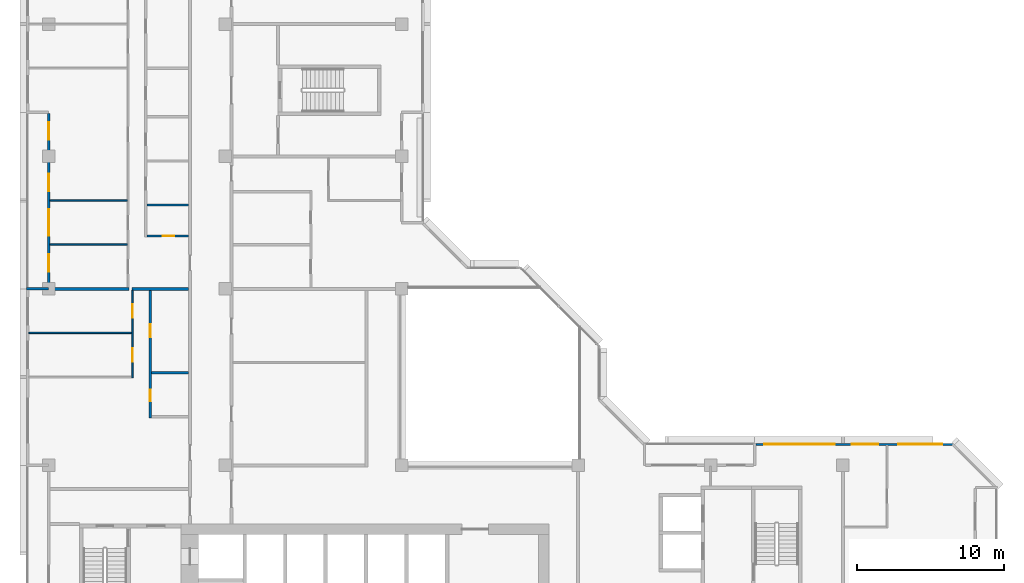
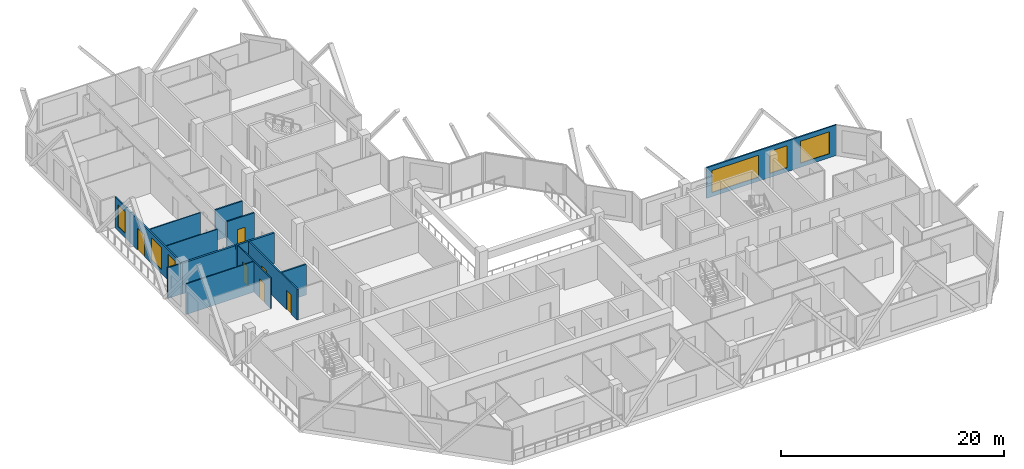
# One storey, part 8 of 15: 13 walls, 6 doors, 6 windows, 12 openings.
"""IFC4 building model written with IfcOpenShell, lengths in metres."""

from ifc_helpers import new_model, si_unit, direction, frame, frame_2d, origin, place, context, subcontext, project, spatial, rectangle, extrude, material, layer, layer_set, type_object, element, fill, save


model = new_model("IFC4")

# Units and contexts
model_context = context("Model", 3, precision=1e-05, world=origin(), true_north=direction((0.0, 1.0)))
body_context = subcontext(model_context, "Body", "Model", "MODEL_VIEW")
ifc_project = project(units=[si_unit("LENGTHUNIT", "METRE"), si_unit("AREAUNIT", "SQUARE_METRE"), si_unit("VOLUMEUNIT", "CUBIC_METRE"), si_unit("PLANEANGLEUNIT", "RADIAN"), si_unit("MASSUNIT", "GRAM", prefix="KILO")], contexts=[model_context])

# Site, building, storey
site_placement = place(None, origin())
site = spatial("IfcSite", under=ifc_project, at=site_placement, CompositionType="ELEMENT")
building_placement = place(site_placement, origin())
building = spatial("IfcBuilding", under=site, at=building_placement, Name="Chenar Terraces", CompositionType="ELEMENT")
storey_placement = place(building_placement, frame((0.0, 0.0, 211.64990234375)))
storey = spatial("IfcBuildingStorey", under=building, at=storey_placement, Name="L49", CompositionType="ELEMENT", Elevation=211.64990234375)

# Wall, openings, windows
ifc_material_1 = material(Name="Aluminium framed glazing", Category="aluminium")
ifc_layer_1 = layer(ifc_material_1, 0.14990234375)
ifc_layer_set_1 = layer_set([ifc_layer_1], Name="Aluminium framed glazing")
wall_type_1 = type_object("IfcWallType", Name="Glazed flush facade wall 150", PredefinedType="SOLIDWALL", material=ifc_layer_set_1)
wall_1_placement = place(storey_placement, frame((61.5, 25.425048828125, 0.0), z_axis=(0.0, 0.0, 1.0), x_axis=(-1.0, 0.0, 0.0)))
wall_1 = element("IfcWall", 1, at=wall_1_placement, inside=storey, type_object=wall_type_1, Name="Glazed flush facade wall", PredefinedType="SOLIDWALL", context=body_context, shape_type="SweptSolid", body=[
    extrude(rectangle(XDim=13.425048828125, YDim=0.14990234375, at=frame_2d((6.71240234375, 0.0))), origin(), (0.0, 0.0, 1.0), 3.35009765625),
])
opening_1_placement = place(wall_1_placement, frame((0.75, 0.0, 0.449951171875)))
opening_1 = element("IfcOpeningElement", 2, at=opening_1_placement, cuts=wall_1, Name="Opening W300x240", PredefinedType="OPENING", context=body_context, shape_type="SweptSolid", body=[
    extrude(rectangle(XDim=3.0, YDim=2.39990234375, at=frame_2d((1.5, 1.199951171875))), frame((0.0, 0.0849609375, 0.0), z_axis=(0.0, -1.0, 0.0), x_axis=(1.0, 0.0, 0.0)), (0.0, 0.0, 1.0), 0.169921875),
])
opening_2_placement = place(wall_1_placement, frame((5.10009765625, 0.0, 0.449951171875)))
opening_2 = element("IfcOpeningElement", 3, at=opening_2_placement, cuts=wall_1, Name="Opening W180x240", PredefinedType="OPENING", context=body_context, shape_type="SweptSolid", body=[
    extrude(rectangle(XDim=1.800048828125, YDim=2.39990234375, at=frame_2d((0.89990234375, 1.199951171875))), frame((0.0, 0.0849609375, 0.0), z_axis=(0.0, -1.0, 0.0), x_axis=(1.0, 0.0, 0.0)), (0.0, 0.0, 1.0), 0.169921875),
])
opening_3_placement = place(wall_1_placement, frame((8.0625, 0.0, 0.449951171875)))
opening_3 = element("IfcOpeningElement", 4, at=opening_3_placement, cuts=wall_1, Name="Opening W480x240", PredefinedType="OPENING", context=body_context, shape_type="SweptSolid", body=[
    extrude(rectangle(XDim=4.800048828125, YDim=2.39990234375, at=frame_2d((2.39990234375, 1.199951171875))), frame((0.0, 0.0849609375, 0.0), z_axis=(0.0, -1.0, 0.0), x_axis=(1.0, 0.0, 0.0)), (0.0, 0.0, 1.0), 0.169921875),
])
ifc_material_2 = material(Name="Low emissivity double glazing, aluminium frame", Category="aluminium")
window_type_1 = type_object("IfcWindowType", Name="Fixed light 1800 x 2400", PartitioningType="SINGLE_PANEL", PredefinedType="WINDOW", material=ifc_material_2)
window_1_placement = place(opening_2_placement, origin())
window_1 = element("IfcWindow", 5, at=window_1_placement, inside=storey, type_object=window_type_1, Name="Window", OverallHeight=2.39990234375, OverallWidth=1.800048828125, PartitioningType="SINGLE_PANEL", PredefinedType="WINDOW", context=body_context, shape_type="SweptSolid", body=[
    extrude(rectangle(XDim=1.800048828125, YDim=2.39990234375, at=frame_2d((0.89990234375, 1.199951171875))), frame((0.0, 0.030029296875, 0.0), z_axis=(0.0, -1.0, 0.0), x_axis=(1.0, 0.0, 0.0)), (0.0, 0.0, 1.0), 0.06005859375),
])
fill(opening_2, window_1)
ifc_material_3 = material(Name="Low emissivity double glazing, aluminium frame", Category="aluminium")
window_type_2 = type_object("IfcWindowType", Name="Fixed light 3000 x 2400", PartitioningType="SINGLE_PANEL", PredefinedType="WINDOW", material=ifc_material_3)
window_2_placement = place(opening_1_placement, origin())
window_2 = element("IfcWindow", 6, at=window_2_placement, inside=storey, type_object=window_type_2, Name="Window", OverallHeight=2.39990234375, OverallWidth=3.0, PartitioningType="SINGLE_PANEL", PredefinedType="WINDOW", context=body_context, shape_type="SweptSolid", body=[
    extrude(rectangle(XDim=3.0, YDim=2.39990234375, at=frame_2d((1.5, 1.199951171875))), frame((0.0, 0.030029296875, 0.0), z_axis=(0.0, -1.0, 0.0), x_axis=(1.0, 0.0, 0.0)), (0.0, 0.0, 1.0), 0.06005859375),
])
fill(opening_1, window_2)
ifc_material_4 = material(Name="Low emissivity double glazing, aluminium frame", Category="aluminium")
window_type_3 = type_object("IfcWindowType", Name="Fixed light 4800 x 2400", PartitioningType="SINGLE_PANEL", PredefinedType="WINDOW", material=ifc_material_4)
window_3_placement = place(opening_3_placement, origin())
window_3 = element("IfcWindow", 7, at=window_3_placement, inside=storey, type_object=window_type_3, Name="Window", OverallHeight=2.39990234375, OverallWidth=4.800048828125, PartitioningType="SINGLE_PANEL", PredefinedType="WINDOW", context=body_context, shape_type="SweptSolid", body=[
    extrude(rectangle(XDim=4.800048828125, YDim=2.39990234375, at=frame_2d((2.39990234375, 1.199951171875))), frame((0.0, 0.030029296875, 0.0), z_axis=(0.0, -1.0, 0.0), x_axis=(1.0, 0.0, 0.0)), (0.0, 0.0, 1.0), 0.06005859375),
])
fill(opening_3, window_3)

# Wall, openings, windows, door
ifc_material_5 = material(Name="Aluminium framed glazing", Category="aluminium")
ifc_layer_2 = layer(ifc_material_5, 0.14990234375)
ifc_layer_set_2 = layer_set([ifc_layer_2], Name="Aluminium framed glazing")
wall_type_2 = type_object("IfcWallType", Name="Glazed loggia back wall 150", PredefinedType="SOLIDWALL", material=ifc_layer_set_2)
wall_2_placement = place(storey_placement, frame((0.0, 47.925048828125, 0.0), z_axis=(0.0, 0.0, 1.0), x_axis=(0.0, -1.0, 0.0)))
wall_2 = element("IfcWall", 8, at=wall_2_placement, inside=storey, type_object=wall_type_2, Name="Glazed loggia back wall", PredefinedType="SOLIDWALL", context=body_context, shape_type="SweptSolid", body=[
    extrude(rectangle(XDim=11.85009765625, YDim=0.14990234375, at=frame_2d((5.925048828125, 0.0))), origin(), (0.0, 0.0, 1.0), 3.35009765625),
])
opening_4_placement = place(wall_2_placement, frame((0.60009765625, 0.0, 0.449951171875)))
opening_4 = element("IfcOpeningElement", 9, at=opening_4_placement, cuts=wall_2, Name="Opening W120x240", PredefinedType="OPENING", context=body_context, shape_type="SweptSolid", body=[
    extrude(rectangle(XDim=1.199951171875, YDim=2.39990234375, at=frame_2d((0.60009765625, 1.199951171875))), frame((0.0, 0.0849609375, 0.0), z_axis=(0.0, -1.0, 0.0), x_axis=(1.0, 0.0, 0.0)), (0.0, 0.0, 1.0), 0.169921875),
])
opening_5_placement = place(wall_2_placement, frame((4.08740234375, 0.0, 0.0)))
opening_5 = element("IfcOpeningElement", 10, at=opening_5_placement, cuts=wall_2, Name="Opening DL49-G3", PredefinedType="OPENING", context=body_context, shape_type="SweptSolid", body=[
    extrude(rectangle(XDim=1.199951171875, YDim=2.39990234375, at=frame_2d((0.60009765625, 1.199951171875))), frame((0.0, 0.0849609375, 0.0), z_axis=(0.0, -1.0, 0.0), x_axis=(1.0, 0.0, 0.0)), (0.0, 0.0, 1.0), 0.169921875),
])
opening_6_placement = place(wall_2_placement, frame((6.52490234375, 0.0, 0.449951171875)))
opening_6 = element("IfcOpeningElement", 11, at=opening_6_placement, cuts=wall_2, Name="Opening W180x240", PredefinedType="OPENING", context=body_context, shape_type="SweptSolid", body=[
    extrude(rectangle(XDim=1.800048828125, YDim=2.39990234375, at=frame_2d((0.89990234375, 1.199951171875))), frame((0.0, 0.0849609375, 0.0), z_axis=(0.0, -1.0, 0.0), x_axis=(1.0, 0.0, 0.0)), (0.0, 0.0, 1.0), 0.169921875),
])
opening_7_placement = place(wall_2_placement, frame((9.5625, 0.0, 0.449951171875)))
opening_7 = element("IfcOpeningElement", 12, at=opening_7_placement, cuts=wall_2, Name="Opening W120x240", PredefinedType="OPENING", context=body_context, shape_type="SweptSolid", body=[
    extrude(rectangle(XDim=1.199951171875, YDim=2.39990234375, at=frame_2d((0.60009765625, 1.199951171875))), frame((0.0, 0.0849609375, 0.0), z_axis=(0.0, -1.0, 0.0), x_axis=(1.0, 0.0, 0.0)), (0.0, 0.0, 1.0), 0.169921875),
])
ifc_material_6 = material(Name="Low emissivity double glazing, aluminium frame", Category="aluminium")
window_type_4 = type_object("IfcWindowType", Name="Fixed light 1200 x 2400", PartitioningType="SINGLE_PANEL", PredefinedType="WINDOW", material=ifc_material_6)
window_4_placement = place(opening_4_placement, origin())
window_4 = element("IfcWindow", 13, at=window_4_placement, inside=storey, type_object=window_type_4, Name="Window", OverallHeight=2.39990234375, OverallWidth=1.199951171875, PartitioningType="SINGLE_PANEL", PredefinedType="WINDOW", context=body_context, shape_type="SweptSolid", body=[
    extrude(rectangle(XDim=1.199951171875, YDim=2.39990234375, at=frame_2d((0.60009765625, 1.199951171875))), frame((0.0, 0.030029296875, 0.0), z_axis=(0.0, -1.0, 0.0), x_axis=(1.0, 0.0, 0.0)), (0.0, 0.0, 1.0), 0.06005859375),
])
fill(opening_4, window_4)
window_5_placement = place(opening_7_placement, origin())
window_5 = element("IfcWindow", 14, at=window_5_placement, inside=storey, type_object=window_type_4, Name="Window", OverallHeight=2.39990234375, OverallWidth=1.199951171875, PartitioningType="SINGLE_PANEL", PredefinedType="WINDOW", context=body_context, shape_type="SweptSolid", body=[
    extrude(rectangle(XDim=1.199951171875, YDim=2.39990234375, at=frame_2d((0.60009765625, 1.199951171875))), frame((0.0, 0.030029296875, 0.0), z_axis=(0.0, -1.0, 0.0), x_axis=(1.0, 0.0, 0.0)), (0.0, 0.0, 1.0), 0.06005859375),
])
fill(opening_7, window_5)
window_6_placement = place(opening_6_placement, origin())
window_6 = element("IfcWindow", 15, at=window_6_placement, inside=storey, type_object=window_type_1, Name="Window", OverallHeight=2.39990234375, OverallWidth=1.800048828125, PartitioningType="SINGLE_PANEL", PredefinedType="WINDOW", context=body_context, shape_type="SweptSolid", body=[
    extrude(rectangle(XDim=1.800048828125, YDim=2.39990234375, at=frame_2d((0.89990234375, 1.199951171875))), frame((0.0, 0.030029296875, 0.0), z_axis=(0.0, -1.0, 0.0), x_axis=(1.0, 0.0, 0.0)), (0.0, 0.0, 1.0), 0.06005859375),
])
fill(opening_6, window_6)
ifc_material_7 = material(Name="Low emissivity double glazing, aluminium frame", Category="aluminium")
door_type_1 = type_object("IfcDoorType", Name="Loggia glazed double door 1200 x 2400", OperationType="DOUBLE_DOOR_SINGLE_SWING", PredefinedType="DOOR", material=ifc_material_7)
door_1_placement = place(opening_5_placement, frame((1.199951171875, 0.0, 0.0), z_axis=(0.0, 0.0, 1.0), x_axis=(-1.0, 0.0, 0.0)))
door_1 = element("IfcDoor", 16, at=door_1_placement, inside=storey, type_object=door_type_1, Name="Loggia glazed door", OperationType="DOUBLE_DOOR_SINGLE_SWING", OverallHeight=2.39990234375, OverallWidth=1.199951171875, PredefinedType="DOOR", context=body_context, shape_type="SweptSolid", body=[
    extrude(rectangle(XDim=1.199951171875, YDim=2.39990234375, at=frame_2d((0.60009765625, 1.199951171875))), frame((0.0, 0.02490234375, 0.0), z_axis=(0.0, -1.0, 0.0), x_axis=(1.0, 0.0, 0.0)), (0.0, 0.0, 1.0), 0.050048828125),
])
fill(opening_5, door_1)

# Walls
ifc_material_8 = material(Name="Gypsum board on steel studs", Category="steel")
ifc_layer_3 = layer(ifc_material_8, 0.10009765625)
ifc_layer_set_3 = layer_set([ifc_layer_3], Name="Gypsum board on steel studs")
wall_type_3 = type_object("IfcWallType", Name="Gypsum partition 100", PredefinedType="PARTITIONING", material=ifc_layer_set_3)
wall_3_placement = place(storey_placement, frame((-1.35107421875, 33.0, 0.0), z_axis=(0.0, 0.0, 1.0), x_axis=(1.0, 0.0, 0.0)))
element("IfcWall", 17, at=wall_3_placement, inside=storey, type_object=wall_type_3, Name="Partition L49-001", PredefinedType="PARTITIONING", context=body_context, shape_type="SweptSolid", body=[
    extrude(rectangle(XDim=7.0009765625, YDim=0.10009765625, at=frame_2d((3.50048828125, 0.0))), origin(), (0.0, 0.0, 1.0), 3.35009765625),
])
for number, where, z_axis, x_axis, name in (
    (18, (0.073974609375, 39.0, 0.0), (0.0, 0.0, 1.0), (1.0, 0.0, 0.0), "Partition L49-010"),
    (19, (0.073974609375, 42.0, 0.0), (0.0, 0.0, 1.0), (1.0, 0.0, 0.0), "Partition L49-011"),
):
    element("IfcWall", number, at=place(storey_placement, frame(where, z_axis=z_axis, x_axis=x_axis)), inside=storey, type_object=wall_type_3, Name=name, PredefinedType="PARTITIONING", context=body_context, shape_type="SweptSolid", body=[
        extrude(rectangle(XDim=5.276123046875, YDim=0.10009765625, at=frame_2d((2.63818359375, 0.0))), origin(), (0.0, 0.0, 1.0), 3.35009765625),
    ])

# Wall, openings, doors
wall_4_placement = place(storey_placement, frame((5.699951171875, 29.949951171875, 0.0), z_axis=(0.0, 0.0, 1.0), x_axis=(0.0, 1.0, 0.0)))
wall_4 = element("IfcWall", 20, at=wall_4_placement, inside=storey, type_object=wall_type_3, Name="Partition L49-016", PredefinedType="PARTITIONING", context=body_context, shape_type="SweptSolid", body=[
    extrude(rectangle(XDim=5.949951171875, YDim=0.10009765625, at=frame_2d((2.97509765625, 0.0))), origin(), (0.0, 0.0, 1.0), 3.35009765625),
])
opening_8_placement = place(wall_4_placement, frame((1.10009765625, 0.0, 0.0)))
opening_8 = element("IfcOpeningElement", 21, at=opening_8_placement, cuts=wall_4, Name="Opening DL49-58", PredefinedType="OPENING", context=body_context, shape_type="SweptSolid", body=[
    extrude(rectangle(XDim=0.89990234375, YDim=2.10009765625, at=frame_2d((0.449951171875, 1.050048828125))), frame((0.0, 0.06005859375, 0.0), z_axis=(0.0, -1.0, 0.0), x_axis=(1.0, 0.0, 0.0)), (0.0, 0.0, 1.0), 0.1201171875),
])
opening_9_placement = place(wall_4_placement, frame((4.10009765625, 0.0, 0.0)))
opening_9 = element("IfcOpeningElement", 22, at=opening_9_placement, cuts=wall_4, Name="Opening DL49-59", PredefinedType="OPENING", context=body_context, shape_type="SweptSolid", body=[
    extrude(rectangle(XDim=0.89990234375, YDim=2.10009765625, at=frame_2d((0.449951171875, 1.050048828125))), frame((0.0, 0.06005859375, 0.0), z_axis=(0.0, -1.0, 0.0), x_axis=(1.0, 0.0, 0.0)), (0.0, 0.0, 1.0), 0.1201171875),
])
ifc_material_9 = material(Name="Veneered timber door leaf", Category="wood")
door_type_2 = type_object("IfcDoorType", Name="Door 900 x 2100", OperationType="SINGLE_SWING_LEFT", PredefinedType="DOOR", material=ifc_material_9)
door_2_placement = place(opening_8_placement, origin())
door_2 = element("IfcDoor", 23, at=door_2_placement, inside=storey, type_object=door_type_2, Name="Door DL49-58", OperationType="SINGLE_SWING_LEFT", OverallHeight=2.10009765625, OverallWidth=0.89990234375, PredefinedType="DOOR", context=body_context, shape_type="SweptSolid", body=[
    extrude(rectangle(XDim=0.89990234375, YDim=2.10009765625, at=frame_2d((0.449951171875, 1.050048828125))), frame((0.0, 0.02490234375, 0.0), z_axis=(0.0, -1.0, 0.0), x_axis=(1.0, 0.0, 0.0)), (0.0, 0.0, 1.0), 0.050048828125),
])
fill(opening_8, door_2)
door_3_placement = place(opening_9_placement, origin())
door_3 = element("IfcDoor", 24, at=door_3_placement, inside=storey, type_object=door_type_2, Name="Door DL49-59", OperationType="SINGLE_SWING_LEFT", OverallHeight=2.10009765625, OverallWidth=0.89990234375, PredefinedType="DOOR", context=body_context, shape_type="SweptSolid", body=[
    extrude(rectangle(XDim=0.89990234375, YDim=2.10009765625, at=frame_2d((0.449951171875, 1.050048828125))), frame((0.0, 0.02490234375, 0.0), z_axis=(0.0, -1.0, 0.0), x_axis=(1.0, 0.0, 0.0)), (0.0, 0.0, 1.0), 0.050048828125),
])
fill(opening_9, door_3)

# Walls
ifc_material_10 = material(Name="Terracotta cladding on insulated backing", Category="masonry")
ifc_layer_4 = layer(ifc_material_10, 0.14990234375)
ifc_layer_set_4 = layer_set([ifc_layer_4], Name="Terracotta cladding on insulated backing")
wall_type_4 = type_object("IfcWallType", Name="Loggia return wall 150", PredefinedType="SOLIDWALL", material=ifc_layer_set_4)
wall_5_placement = place(storey_placement, frame((-1.5, 36.0, 0.0), z_axis=(0.0, 0.0, 1.0), x_axis=(1.0, 0.0, 0.0)))
element("IfcWall", 25, at=wall_5_placement, inside=storey, type_object=wall_type_4, Name="Loggia return wall", PredefinedType="SOLIDWALL", context=body_context, shape_type="SweptSolid", body=[
    extrude(rectangle(XDim=1.5, YDim=0.14990234375, at=frame_2d((0.75, 0.0))), origin(), (0.0, 0.0, 1.0), 3.35009765625),
])
ifc_material_11 = material(Name="Twin gypsum board on steel studs with mineral wool", Category="steel")
ifc_layer_5 = layer(ifc_material_11, 0.199951171875)
ifc_layer_set_5 = layer_set([ifc_layer_5], Name="Twin gypsum board on steel studs with mineral wool")
wall_type_5 = type_object("IfcWallType", Name="Unit demising wall 200", PredefinedType="PARTITIONING", material=ifc_layer_set_5)
wall_6_placement = place(storey_placement, frame((0.0, 36.0, 0.0), z_axis=(0.0, 0.0, 1.0), x_axis=(1.0, 0.0, 0.0)))
element("IfcWall", 26, at=wall_6_placement, inside=storey, type_object=wall_type_5, Name="Partition L49-006", PredefinedType="PARTITIONING", context=body_context, shape_type="SweptSolid", body=[
    extrude(rectangle(XDim=5.449951171875, YDim=0.199951171875, at=frame_2d((2.72509765625, 0.0))), origin(), (0.0, 0.0, 1.0), 3.35009765625),
])
wall_7_placement = place(storey_placement, frame((5.64990234375, 36.0, 0.0), z_axis=(0.0, 0.0, 1.0), x_axis=(1.0, 0.0, 0.0)))
element("IfcWall", 27, at=wall_7_placement, inside=storey, type_object=wall_type_5, Name="Partition L49-015", PredefinedType="PARTITIONING", context=body_context, shape_type="SweptSolid", body=[
    extrude(rectangle(XDim=3.85009765625, YDim=0.199951171875, at=frame_2d((1.925048828125, 0.0))), origin(), (0.0, 0.0, 1.0), 3.35009765625),
])

# Wall, opening, door
ifc_material_12 = material(Name="Moisture-resistant gypsum board on steel studs", Category="steel")
ifc_layer_6 = layer(ifc_material_12, 0.14990234375)
ifc_layer_set_6 = layer_set([ifc_layer_6], Name="Moisture-resistant gypsum board on steel studs")
wall_type_6 = type_object("IfcWallType", Name="Wet-room partition 150", PredefinedType="PARTITIONING", material=ifc_layer_set_6)
wall_8_placement = place(storey_placement, frame((6.675048828125, 39.60009765625, 0.0), z_axis=(0.0, 0.0, 1.0), x_axis=(1.0, 0.0, 0.0)))
wall_8 = element("IfcWall", 28, at=wall_8_placement, inside=storey, type_object=wall_type_6, Name="Partition L49-018", PredefinedType="PARTITIONING", context=body_context, shape_type="SweptSolid", body=[
    extrude(rectangle(XDim=2.824951171875, YDim=0.14990234375, at=frame_2d((1.41259765625, 0.0))), origin(), (0.0, 0.0, 1.0), 3.35009765625),
])
opening_10_placement = place(wall_8_placement, frame((1.074951171875, 0.0, 0.0)))
opening_10 = element("IfcOpeningElement", 29, at=opening_10_placement, cuts=wall_8, Name="Opening DL49-36", PredefinedType="OPENING", context=body_context, shape_type="SweptSolid", body=[
    extrude(rectangle(XDim=0.800048828125, YDim=2.10009765625, at=frame_2d((0.39990234375, 1.050048828125))), frame((0.0, 0.0849609375, 0.0), z_axis=(0.0, -1.0, 0.0), x_axis=(1.0, 0.0, 0.0)), (0.0, 0.0, 1.0), 0.169921875),
])
ifc_material_13 = material(Name="Veneered timber door leaf", Category="wood")
door_type_3 = type_object("IfcDoorType", Name="Door 800 x 2100", OperationType="SINGLE_SWING_LEFT", PredefinedType="DOOR", material=ifc_material_13)
door_4_placement = place(opening_10_placement, origin())
door_4 = element("IfcDoor", 30, at=door_4_placement, inside=storey, type_object=door_type_3, Name="Door DL49-36", OperationType="SINGLE_SWING_RIGHT", OverallHeight=2.10009765625, OverallWidth=0.800048828125, PredefinedType="DOOR", context=body_context, shape_type="SweptSolid", body=[
    extrude(rectangle(XDim=0.800048828125, YDim=2.10009765625, at=frame_2d((0.39990234375, 1.050048828125))), frame((0.0, 0.02490234375, 0.0), z_axis=(0.0, -1.0, 0.0), x_axis=(1.0, 0.0, 0.0)), (0.0, 0.0, 1.0), 0.050048828125),
])
fill(opening_10, door_4)

# Wall
wall_9_placement = place(storey_placement, frame((6.675048828125, 41.699951171875, 0.0), z_axis=(0.0, 0.0, 1.0), x_axis=(1.0, 0.0, 0.0)))
element("IfcWall", 31, at=wall_9_placement, inside=storey, type_object=wall_type_6, Name="Partition L49-019", PredefinedType="PARTITIONING", context=body_context, shape_type="SweptSolid", body=[
    extrude(rectangle(XDim=2.824951171875, YDim=0.14990234375, at=frame_2d((1.41259765625, 0.0))), origin(), (0.0, 0.0, 1.0), 3.35009765625),
])

# Wall, openings, doors
wall_10_placement = place(storey_placement, frame((6.89990234375, 27.22509765625, 0.0), z_axis=(0.0, 0.0, 1.0), x_axis=(0.0, 1.0, 0.0)))
wall_10 = element("IfcWall", 32, at=wall_10_placement, inside=storey, type_object=wall_type_6, Name="Partition L49-025", PredefinedType="PARTITIONING", context=body_context, shape_type="SweptSolid", body=[
    extrude(rectangle(XDim=8.6748046875, YDim=0.14990234375, at=frame_2d((4.33740234375, 0.0))), origin(), (0.0, 0.0, 1.0), 3.35009765625),
])
opening_11_placement = place(wall_10_placement, frame((1.125, 0.0, 0.0)))
opening_11 = element("IfcOpeningElement", 33, at=opening_11_placement, cuts=wall_10, Name="Opening DL49-57", PredefinedType="OPENING", context=body_context, shape_type="SweptSolid", body=[
    extrude(rectangle(XDim=0.800048828125, YDim=2.10009765625, at=frame_2d((0.39990234375, 1.050048828125))), frame((0.0, 0.0849609375, 0.0), z_axis=(0.0, -1.0, 0.0), x_axis=(1.0, 0.0, 0.0)), (0.0, 0.0, 1.0), 0.169921875),
])
opening_12_placement = place(wall_10_placement, frame((5.47509765625, 0.0, 0.0)))
opening_12 = element("IfcOpeningElement", 34, at=opening_12_placement, cuts=wall_10, Name="Opening DL49-60", PredefinedType="OPENING", context=body_context, shape_type="SweptSolid", body=[
    extrude(rectangle(XDim=0.89990234375, YDim=2.10009765625, at=frame_2d((0.449951171875, 1.050048828125))), frame((0.0, 0.0849609375, 0.0), z_axis=(0.0, -1.0, 0.0), x_axis=(1.0, 0.0, 0.0)), (0.0, 0.0, 1.0), 0.169921875),
])
door_5_placement = place(opening_11_placement, frame((0.800048828125, 0.0, 0.0), z_axis=(0.0, 0.0, 1.0), x_axis=(-1.0, 0.0, 0.0)))
door_5 = element("IfcDoor", 35, at=door_5_placement, inside=storey, type_object=door_type_3, Name="Door DL49-57", OperationType="SINGLE_SWING_RIGHT", OverallHeight=2.10009765625, OverallWidth=0.800048828125, PredefinedType="DOOR", context=body_context, shape_type="SweptSolid", body=[
    extrude(rectangle(XDim=0.800048828125, YDim=2.10009765625, at=frame_2d((0.39990234375, 1.050048828125))), frame((0.0, 0.02490234375, 0.0), z_axis=(0.0, -1.0, 0.0), x_axis=(1.0, 0.0, 0.0)), (0.0, 0.0, 1.0), 0.050048828125),
])
fill(opening_11, door_5)
door_6_placement = place(opening_12_placement, frame((0.89990234375, 0.0, 0.0), z_axis=(0.0, 0.0, 1.0), x_axis=(-1.0, 0.0, 0.0)))
door_6 = element("IfcDoor", 36, at=door_6_placement, inside=storey, type_object=door_type_2, Name="Door DL49-60", OperationType="SINGLE_SWING_RIGHT", OverallHeight=2.10009765625, OverallWidth=0.89990234375, PredefinedType="DOOR", context=body_context, shape_type="SweptSolid", body=[
    extrude(rectangle(XDim=0.89990234375, YDim=2.10009765625, at=frame_2d((0.449951171875, 1.050048828125))), frame((0.0, 0.02490234375, 0.0), z_axis=(0.0, -1.0, 0.0), x_axis=(1.0, 0.0, 0.0)), (0.0, 0.0, 1.0), 0.050048828125),
])
fill(opening_12, door_6)

# Wall
wall_11_placement = place(storey_placement, frame((6.97509765625, 30.300048828125, 0.0), z_axis=(0.0, 0.0, 1.0), x_axis=(1.0, 0.0, 0.0)))
element("IfcWall", 37, at=wall_11_placement, inside=storey, type_object=wall_type_6, Name="Partition L49-027", PredefinedType="PARTITIONING", context=body_context, shape_type="SweptSolid", body=[
    extrude(rectangle(XDim=2.52490234375, YDim=0.14990234375, at=frame_2d((1.262451171875, 0.0))), origin(), (0.0, 0.0, 1.0), 3.35009765625),
])

save(model, "model.ifc")
